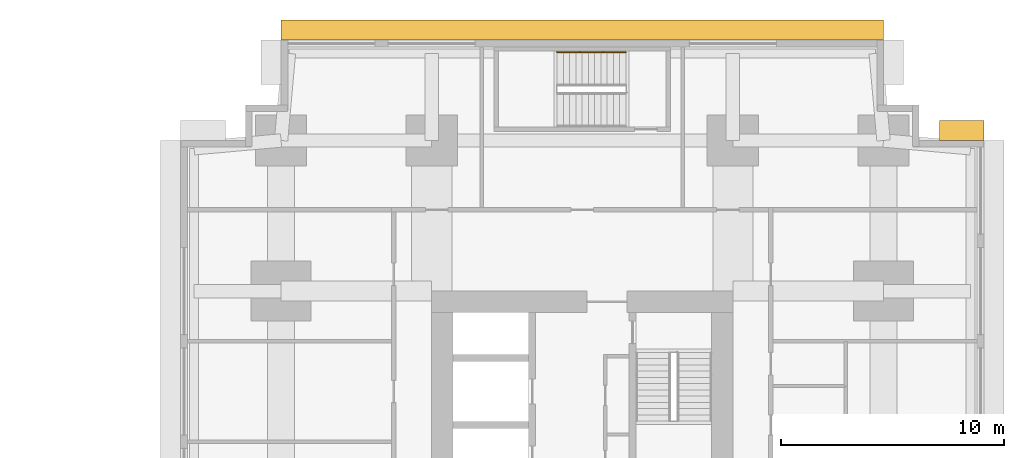
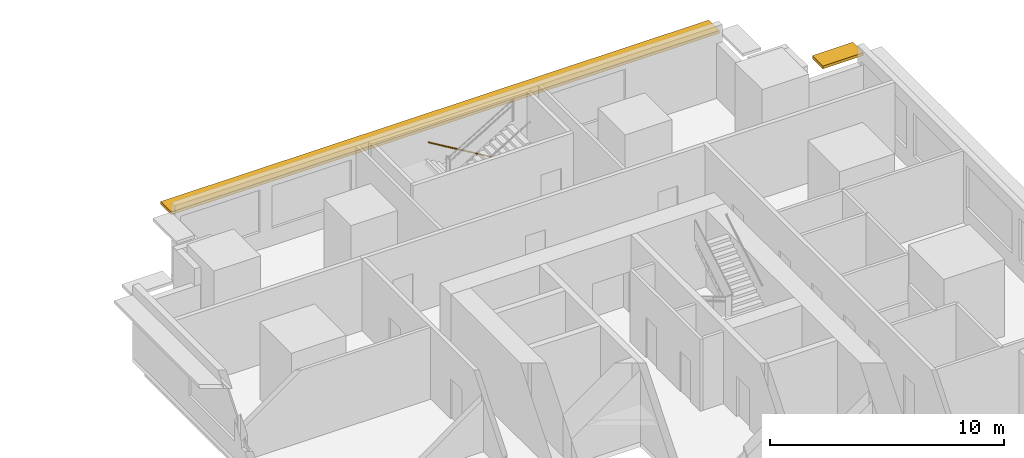
# One storey, part 11 of 11: 2 shading devices, 1 railing.
"""IFC4 building model written with IfcOpenShell, lengths in metres."""

import ifcopenshell
import ifcopenshell.guid

model = None  # the IFC model being written
_history = None  # IfcOwnerHistory: only IFC2X3 demands one
_inside = {}  # id of a spatial element -> (the spatial element, [elements in it])
_under = {}  # id of a project, library or spatial element -> (it, [spatial elements below it])
_declared = {}  # id of a project -> (the project, [libraries it declares])
_typed = {}  # id of a type object -> (the type object, [elements of that type])
_made_of = {}  # id of a material, layer set ... -> (it, [elements and type objects made of it])


def new_model(schema):
    """Start an empty IFC model of exactly this schema.

    Asked for "IFC4X3", IfcOpenShell would pick the latest addendum, in which some entities
    have other attributes; the version numbers below select the first issue.
    IFC2X3 requires an IfcOwnerHistory on every rooted entity: one is made here for all.
    """
    global model, _history
    if schema == "IFC4X3":
        model = ifcopenshell.file(schema_version=(4, 3, 0, 0))
    else:
        model = ifcopenshell.file(schema=schema)
    _inside.clear()
    _under.clear()
    _declared.clear()
    _typed.clear()
    _made_of.clear()
    _history = None
    if model.schema == "IFC2X3":
        org = make("IfcOrganization", Name="unknown")
        user = make(
            "IfcPersonAndOrganization",
            ThePerson=make("IfcPerson", FamilyName="unknown"),
            TheOrganization=org,
        )
        app = make(
            "IfcApplication",
            ApplicationDeveloper=org,
            Version="unknown",
            ApplicationFullName="unknown",
            ApplicationIdentifier="unknown",
        )
        _history = make(
            "IfcOwnerHistory",
            OwningUser=user,
            OwningApplication=app,
            ChangeAction="ADDED",
            CreationDate=0,
        )
    return model


def make(cls, **values):
    """One entity of the class cls with the attributes given. An attribute that is None is left unset."""
    return model.create_entity(
        cls, **{name: value for name, value in values.items() if value is not None}
    )


def rooted(cls, **values):
    """An entity with a GlobalId (a new one), such as an element, a storey or a relation."""
    return make(cls, GlobalId=ifcopenshell.guid.new(), OwnerHistory=_history, **values)


def si_unit(unit_type, name, prefix=None):
    """IfcSIUnit, for example si_unit("LENGTHUNIT", "METRE", prefix="MILLI")."""
    return make("IfcSIUnit", UnitType=unit_type, Prefix=prefix, Name=name)


def assignment(units):
    """IfcUnitAssignment: the units of a project."""
    return None if units is None else make("IfcUnitAssignment", Units=units)


def point(xyz):
    """IfcCartesianPoint."""
    return None if xyz is None else make("IfcCartesianPoint", Coordinates=xyz)


def direction(xyz):
    """IfcDirection."""
    return None if xyz is None else make("IfcDirection", DirectionRatios=xyz)


def frame(location, z_axis=None, x_axis=None):
    """IfcAxis2Placement3D, a coordinate frame: its origin and axes. An axis left out is left unset."""
    return make(
        "IfcAxis2Placement3D",
        Location=point(location),
        Axis=direction(z_axis),
        RefDirection=direction(x_axis),
    )


def frame_2d(location, x_axis=None):
    """IfcAxis2Placement2D, a coordinate frame in the plane: its origin and x axis."""
    return make(
        "IfcAxis2Placement2D", Location=point(location), RefDirection=direction(x_axis)
    )


def origin():
    """The frame at (0, 0, 0) with its axes left unset."""
    return frame((0.0, 0.0, 0.0))


def origin_2d():
    """The frame at (0, 0) in the plane with its x axis left unset."""
    return frame_2d((0.0, 0.0))


def place(relative_to, where):
    """IfcLocalPlacement: puts the frame where relative to a parent placement (None: the world)."""
    return make(
        "IfcLocalPlacement", PlacementRelTo=relative_to, RelativePlacement=where
    )


def context(
    kind, dimensions, precision=None, world=None, true_north=None, identifier=None
):
    """IfcGeometricRepresentationContext, for example the 3D "Model" context."""
    return make(
        "IfcGeometricRepresentationContext",
        ContextIdentifier=identifier,
        ContextType=kind,
        CoordinateSpaceDimension=dimensions,
        Precision=precision,
        WorldCoordinateSystem=world,
        TrueNorth=true_north,
    )


def subcontext(parent, identifier, kind, view, scale=None):
    """IfcGeometricRepresentationSubContext, for example "Body" below "Model"."""
    return make(
        "IfcGeometricRepresentationSubContext",
        ContextIdentifier=identifier,
        ContextType=kind,
        ParentContext=parent,
        TargetScale=scale,
        TargetView=view,
    )


def project(units=None, contexts=None):
    """IfcProject with its units and contexts."""
    return rooted(
        "IfcProject",
        Name="project",
        RepresentationContexts=contexts,
        UnitsInContext=assignment(units),
    )


def spatial(cls, under=None, at=None, **own):
    """A site, building, storey or space (cls), placed at a placement, below another one or the project."""
    s = rooted(cls, ObjectPlacement=at, **own)
    if under is not None:
        _under.setdefault(under.id(), (under, []))[1].append(s)
    return s


def profile(cls, at=None, kind="AREA", **sizes):
    """A parametric profile (cls). Its sizes go by their IFC names, for example OverallWidth=200.0."""
    return make(cls, ProfileType=kind, Position=at, **sizes)


def rectangle(**sizes):
    """IfcRectangleProfileDef."""
    return profile("IfcRectangleProfileDef", **sizes)


def circle(**sizes):
    """IfcCircleProfileDef."""
    return profile("IfcCircleProfileDef", **sizes)


def extrude(swept, where, along, depth):
    """IfcExtrudedAreaSolid: the profile swept, set in the frame where, extruded along a direction by depth."""
    return make(
        "IfcExtrudedAreaSolid",
        SweptArea=swept,
        Position=where,
        ExtrudedDirection=direction(along),
        Depth=depth,
    )


def shape(context_of_items, identifier, shape_type, items):
    """IfcShapeRepresentation: the items that make up one representation, for example the "Body"."""
    return make(
        "IfcShapeRepresentation",
        ContextOfItems=context_of_items,
        RepresentationIdentifier=identifier,
        RepresentationType=shape_type,
        Items=items,
    )


def material(Name=None, Category=None):
    """IfcMaterial."""
    return make("IfcMaterial", Name=Name, Category=Category)


def layer(
    of_material, thickness, ventilated=None, Name=None, Category=None, Priority=None
):
    """IfcMaterialLayer: one layer of a wall or slab, of a material (None: an air gap)."""
    return make(
        "IfcMaterialLayer",
        Material=of_material,
        LayerThickness=thickness,
        IsVentilated=ventilated,
        Name=Name,
        Category=Category,
        Priority=Priority,
    )


def layer_set(layers, Name=None):
    """IfcMaterialLayerSet."""
    return make("IfcMaterialLayerSet", MaterialLayers=layers, LayerSetName=Name)


def made_of(thing, what):
    """Note that an element or type object is made of a material, layer set ...; save() writes the relation."""
    if what is not None:
        _made_of.setdefault(what.id(), (what, []))[1].append(thing)
    return thing


def type_object(cls, material=None, **own):
    """A type object (cls), such as IfcWallType, which elements share."""
    return made_of(rooted(cls, **own), material)


def element(
    cls,
    number,
    at=None,
    inside=None,
    cuts=None,
    type_object=None,
    material=None,
    context=None,
    identifier="Body",
    shape_type=None,
    held_by="IfcProductDefinitionShape",
    body=None,
    shapes=None,
    **own,
):
    """One element of the class cls, such as IfcWall. Its Tag is "e" and its number.

    at: its placement. inside: the storey or other place that contains it. cuts: it is an
    opening in that element (IfcRelVoidsElement). A single representation is given by context,
    identifier, shape_type and body (its items); several are given by shapes. held_by: the class
    of the entity that holds the representations. save() writes the other relations.
    """
    e = rooted(cls, Tag="e%d" % number, ObjectPlacement=at, **own)
    if body is not None:
        shapes = [shape(context, identifier, shape_type, body)]
    if shapes is not None:
        e.Representation = make(held_by, Representations=shapes)
    if inside is not None:
        _inside.setdefault(inside.id(), (inside, []))[1].append(e)
    if cuts is not None:
        rooted(
            "IfcRelVoidsElement", RelatingBuildingElement=cuts, RelatedOpeningElement=e
        )
    if type_object is not None:
        _typed.setdefault(type_object.id(), (type_object, []))[1].append(e)
    return made_of(e, material)


def aggregate(whole, parts):
    """IfcRelAggregates: a whole, such as a stair, and the parts it consists of."""
    return rooted("IfcRelAggregates", RelatingObject=whole, RelatedObjects=parts)


def save(model, path):
    """Write the relations noted so far, then the file.

    IfcRelAggregates (storeys below a building ...), IfcRelContainedInSpatialStructure (elements
    in a storey), IfcRelDefinesByType, IfcRelAssociatesMaterial and IfcRelDeclares: one each for
    every whole, place, type object, material and project.
    """
    for whole, parts in _under.values():
        aggregate(whole, parts)
    for where, things in _inside.values():
        rooted(
            "IfcRelContainedInSpatialStructure",
            RelatedElements=things,
            RelatingStructure=where,
        )
    for kind, things in _typed.values():
        rooted("IfcRelDefinesByType", RelatedObjects=things, RelatingType=kind)
    for what, things in _made_of.values():
        rooted("IfcRelAssociatesMaterial", RelatedObjects=things, RelatingMaterial=what)
    for by, libraries in _declared.values():
        rooted("IfcRelDeclares", RelatingContext=by, RelatedDefinitions=libraries)
    model.write(path)


model = new_model("IFC4")

# Units and contexts
model_context = context("Model", 3, precision=1e-05, world=origin(), true_north=direction((0.0, 1.0)))
body_context = subcontext(model_context, "Body", "Model", "MODEL_VIEW")
ifc_project = project(units=[si_unit("LENGTHUNIT", "METRE"), si_unit("AREAUNIT", "SQUARE_METRE"), si_unit("VOLUMEUNIT", "CUBIC_METRE"), si_unit("PLANEANGLEUNIT", "RADIAN"), si_unit("MASSUNIT", "GRAM", prefix="KILO")], contexts=[model_context])

# Site, building, storey
site_placement = place(None, origin())
site = spatial("IfcSite", under=ifc_project, at=site_placement, CompositionType="ELEMENT")
building_placement = place(site_placement, origin())
building = spatial("IfcBuilding", under=site, at=building_placement, Name="Namib Vertical Campus", CompositionType="ELEMENT")
storey_placement = place(building_placement, frame((0.0, 0.0, 29.0)))
storey = spatial("IfcBuildingStorey", under=building, at=storey_placement, Name="L06", CompositionType="ELEMENT", Elevation=29.0)

# Railing
ifc_material_1 = material(Name="Steel handrail", Category="steel")
railing_type = type_object("IfcRailingType", Name="Handrail 900", PredefinedType="HANDRAIL", material=ifc_material_1)
railing_placement = place(storey_placement, frame((82.949951171875, 39.949951171875, 0.166748046875)))
element("IfcRailing", 1, at=railing_placement, inside=storey, type_object=railing_type, Name="Handrail HR1 B-S3 L06 1", PredefinedType="HANDRAIL", context=body_context, shape_type="SweptSolid", body=[
    extrude(circle(Radius=0.02392578125, at=origin_2d()), frame((0.0, 0.0, 0.8759765625), z_axis=(-0.859290745958, 0.0, 0.51148745235), x_axis=(0.0, -1.0, 0.0)), (0.0, 0.0, 1.0), 3.584228515625),
    extrude(circle(Radius=0.008056640625, at=origin_2d()), frame((0.0, 0.0, 0.8759765625), z_axis=(0.0, 1.0, 0.0), x_axis=(0.0, 0.0, 1.0)), (0.0, 0.0, 1.0), 0.050048828125),
    extrude(circle(Radius=0.008056640625, at=origin_2d()), frame((-1.026611328125, 0.0, 1.48681640625), z_axis=(0.0, 1.0, 0.0), x_axis=(0.0, 0.0, 1.0)), (0.0, 0.0, 1.0), 0.050048828125),
    extrude(circle(Radius=0.008056640625, at=origin_2d()), frame((-2.05322265625, 0.0, 2.09814453125), z_axis=(0.0, 1.0, 0.0), x_axis=(0.0, 0.0, 1.0)), (0.0, 0.0, 1.0), 0.050048828125),
    extrude(circle(Radius=0.008056640625, at=origin_2d()), frame((-3.079833984375, 0.0, 2.708984375), z_axis=(0.0, 1.0, 0.0), x_axis=(0.0, 0.0, 1.0)), (0.0, 0.0, 1.0), 0.050048828125),
])

# Shading devices
ifc_material_2 = material(Name="Concrete C40/50 precast", Category="concrete")
ifc_layer = layer(ifc_material_2, 0.14990234375)
ifc_layer_set = layer_set([ifc_layer], Name="Concrete C40/50 precast")
shading_device_type = type_object("IfcShadingDeviceType", Name="Sunshade hood 900", PredefinedType="SHUTTER", material=ifc_layer_set)
shading_device_1_placement = place(storey_placement, frame((98.0, 36.449951171875, 3.10009765625), z_axis=(0.0, 0.0, 1.0), x_axis=(-1.0, 0.0, 0.0)))
element("IfcShadingDevice", 2, at=shading_device_1_placement, inside=storey, type_object=shading_device_type, Name="Sunshade SH1 L06 7", PredefinedType="SHUTTER", context=body_context, shape_type="SweptSolid", body=[
    extrude(rectangle(XDim=2.0, YDim=0.89990234375, at=origin_2d()), origin(), (0.0, 0.0, 1.0), 0.14990234375),
])
shading_device_2_placement = place(storey_placement, frame((81.0, 40.949951171875, 3.10009765625), z_axis=(0.0, 0.0, 1.0), x_axis=(-1.0, 0.0, 0.0)))
element("IfcShadingDevice", 3, at=shading_device_2_placement, inside=storey, type_object=shading_device_type, Name="Sunshade SH1 L06 11", PredefinedType="SHUTTER", context=body_context, shape_type="SweptSolid", body=[
    extrude(rectangle(XDim=27.0, YDim=0.89990234375, at=origin_2d()), origin(), (0.0, 0.0, 1.0), 0.14990234375),
])

save(model, "model.ifc")
